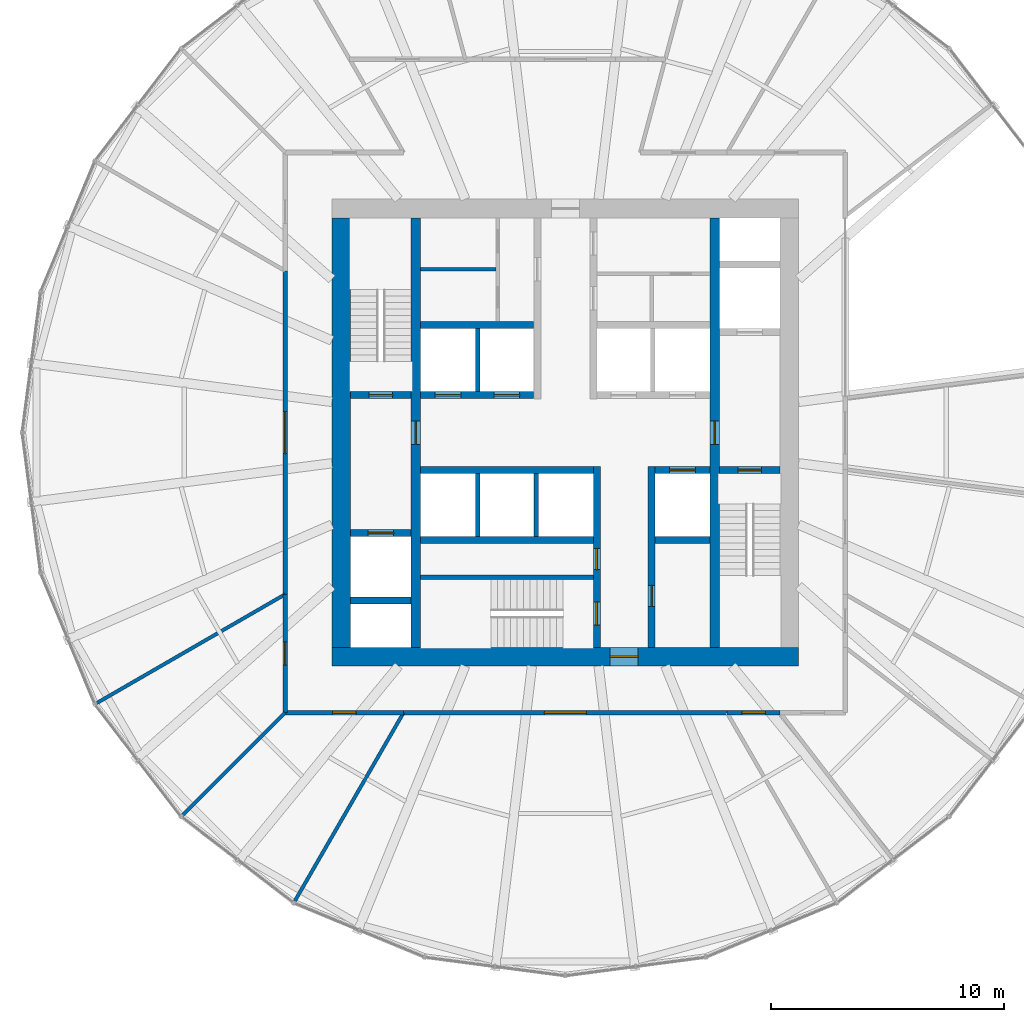
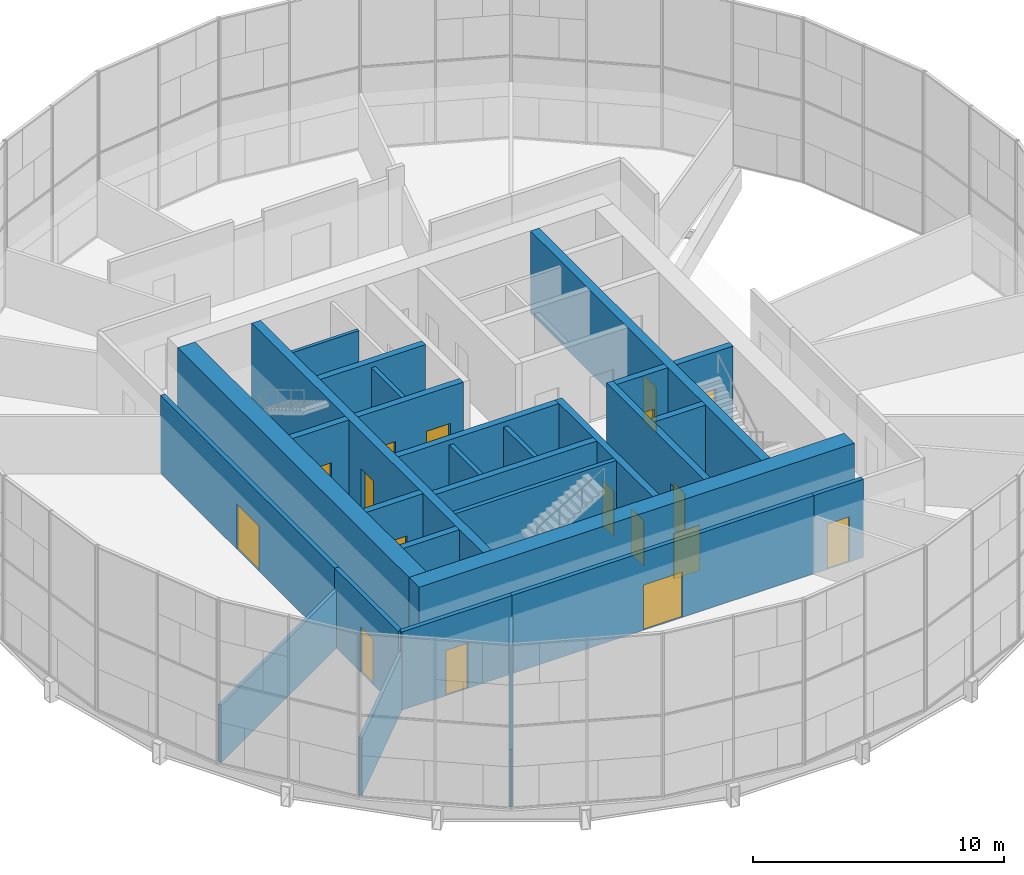
# One storey, part 15 of 18: 29 walls, 17 doors, 17 openings.
"""IFC4 building model written with IfcOpenShell, lengths in metres."""

from ifc_helpers import new_model, si_unit, direction, frame, frame_2d, origin, place, context, subcontext, project, spatial, rectangle, extrude, material, layer, layer_set, type_object, element, fill, save


model = new_model("IFC4")

# Units and contexts
model_context = context("Model", 3, precision=1e-05, world=origin(), true_north=direction((0.0, 1.0)))
body_context = subcontext(model_context, "Body", "Model", "MODEL_VIEW")
ifc_project = project(units=[si_unit("LENGTHUNIT", "METRE"), si_unit("AREAUNIT", "SQUARE_METRE"), si_unit("VOLUMEUNIT", "CUBIC_METRE"), si_unit("PLANEANGLEUNIT", "RADIAN"), si_unit("MASSUNIT", "GRAM", prefix="KILO")], contexts=[model_context])

# Site, building, storey
site_placement = place(None, origin())
site = spatial("IfcSite", under=ifc_project, at=site_placement, CompositionType="ELEMENT")
building_placement = place(site_placement, origin())
building = spatial("IfcBuilding", under=site, at=building_placement, Name="Golbaran Civic Tower", CompositionType="ELEMENT")
storey_placement = place(building_placement, frame((0.0, 0.0, 45.0)))
storey = spatial("IfcBuildingStorey", under=building, at=storey_placement, Name="L10", CompositionType="ELEMENT", Elevation=45.0)

# Wall, opening, door
ifc_material_1 = material(Name="Concrete C50/60", Category="concrete")
ifc_layer_1 = layer(ifc_material_1, 0.39990234375, Name="Concrete C50/60")
ifc_layer_set_1 = layer_set([ifc_layer_1], Name="Concrete C50/60")
wall_type_1 = type_object("IfcWallType", Name="CORE WALL CONCRETE 400", PredefinedType="SOLIDWALL", material=ifc_layer_set_1)
wall_1_placement = place(storey_placement, frame((-6.39990234375, -9.199951171875, 0.0), z_axis=(0.0, 0.0, 1.0), x_axis=(0.0, 1.0, 0.0)))
wall_1 = element("IfcWall", 1, at=wall_1_placement, inside=storey, type_object=wall_type_1, Name="Core wall IW L10", PredefinedType="SOLIDWALL", context=body_context, shape_type="SweptSolid", body=[
    extrude(rectangle(XDim=18.39990234375, YDim=0.39990234375, at=frame_2d((9.199951171875, 0.0))), origin(), (0.0, 0.0, 1.0), 4.0),
])
opening_1_placement = place(wall_1_placement, frame((8.699951171875, 0.0, 0.0)))
opening_1 = element("IfcOpeningElement", 2, at=opening_1_placement, cuts=wall_1, Name="Opening L10.FL1", PredefinedType="OPENING", context=body_context, shape_type="SweptSolid", body=[
    extrude(rectangle(XDim=1.0, YDim=2.199951171875, at=frame_2d((0.5, 1.10009765625))), frame((0.0, 0.2099609375, 0.0), z_axis=(0.0, -1.0, 0.0), x_axis=(1.0, 0.0, 0.0)), (0.0, 0.0, 1.0), 0.419921875),
])
ifc_material_2 = material(Name="Timber door set in steel frame", Category="steel")
door_type_1 = type_object("IfcDoorType", Name="STAIR DOOR 1000x2200", OperationType="SINGLE_SWING_LEFT", PredefinedType="DOOR", material=ifc_material_2)
door_1_placement = place(opening_1_placement, origin())
door_1 = element("IfcDoor", 3, at=door_1_placement, inside=storey, type_object=door_type_1, Name="Fire-fighting lobby FL1 door", OperationType="SINGLE_SWING_LEFT", OverallHeight=2.199951171875, OverallWidth=1.0, PredefinedType="DOOR", context=body_context, shape_type="SweptSolid", body=[
    extrude(rectangle(XDim=1.0, YDim=2.199951171875, at=frame_2d((0.5, 1.10009765625))), frame((0.0, 0.02490234375, 0.0), z_axis=(0.0, -1.0, 0.0), x_axis=(1.0, 0.0, 0.0)), (0.0, 0.0, 1.0), 0.050048828125),
])
fill(opening_1, door_1)

wall_2_placement = place(storey_placement, frame((6.39990234375, 9.199951171875, 0.0), z_axis=(0.0, 0.0, 1.0), x_axis=(0.0, -1.0, 0.0)))
wall_2 = element("IfcWall", 4, at=wall_2_placement, inside=storey, type_object=wall_type_1, Name="Core wall IE L10", PredefinedType="SOLIDWALL", context=body_context, shape_type="SweptSolid", body=[
    extrude(rectangle(XDim=18.39990234375, YDim=0.39990234375, at=frame_2d((9.199951171875, 0.0))), origin(), (0.0, 0.0, 1.0), 4.0),
])
opening_2_placement = place(wall_2_placement, frame((8.699951171875, 0.0, 0.0)))
opening_2 = element("IfcOpeningElement", 5, at=opening_2_placement, cuts=wall_2, Name="Opening L10.FL2", PredefinedType="OPENING", context=body_context, shape_type="SweptSolid", body=[
    extrude(rectangle(XDim=1.0, YDim=2.199951171875, at=frame_2d((0.5, 1.10009765625))), frame((0.0, 0.2099609375, 0.0), z_axis=(0.0, -1.0, 0.0), x_axis=(1.0, 0.0, 0.0)), (0.0, 0.0, 1.0), 0.419921875),
])
door_2_placement = place(opening_2_placement, origin())
door_2 = element("IfcDoor", 6, at=door_2_placement, inside=storey, type_object=door_type_1, Name="Fire-fighting lobby FL2 door", OperationType="SINGLE_SWING_RIGHT", OverallHeight=2.199951171875, OverallWidth=1.0, PredefinedType="DOOR", context=body_context, shape_type="SweptSolid", body=[
    extrude(rectangle(XDim=1.0, YDim=2.199951171875, at=frame_2d((0.5, 1.10009765625))), frame((0.0, 0.02490234375, 0.0), z_axis=(0.0, -1.0, 0.0), x_axis=(1.0, 0.0, 0.0)), (0.0, 0.0, 1.0), 0.050048828125),
])
fill(opening_2, door_2)

ifc_layer_2 = layer(ifc_material_1, 0.800048828125, Name="Concrete C50/60")
ifc_layer_set_2 = layer_set([ifc_layer_2], Name="Concrete C50/60")
wall_type_2 = type_object("IfcWallType", Name="CORE WALL CONCRETE 800", PredefinedType="SOLIDWALL", material=ifc_layer_set_2)
wall_3_placement = place(storey_placement, frame((10.0, -9.60009765625, 0.0), z_axis=(0.0, 0.0, 1.0), x_axis=(-1.0, 0.0, 0.0)))
wall_3 = element("IfcWall", 7, at=wall_3_placement, inside=storey, type_object=wall_type_2, Name="Core wall CS L10", PredefinedType="SOLIDWALL", context=body_context, shape_type="SweptSolid", body=[
    extrude(rectangle(XDim=20.0, YDim=0.800048828125, at=frame_2d((10.0, 0.0))), origin(), (0.0, 0.0, 1.0), 4.0),
])
opening_3_placement = place(wall_3_placement, frame((6.875, 0.0, 0.0)))
opening_3 = element("IfcOpeningElement", 8, at=opening_3_placement, cuts=wall_3, Name="Opening L10.CS", PredefinedType="OPENING", context=body_context, shape_type="SweptSolid", body=[
    extrude(rectangle(XDim=1.199951171875, YDim=2.199951171875, at=frame_2d((0.60009765625, 1.10009765625))), frame((0.0, 0.409912109375, 0.0), z_axis=(0.0, -1.0, 0.0), x_axis=(1.0, 0.0, 0.0)), (0.0, 0.0, 1.0), 0.820068359375),
])
door_type_2 = type_object("IfcDoorType", Name="CORE DOOR 1200x2200", OperationType="DOUBLE_DOOR_SINGLE_SWING", PredefinedType="DOOR", material=ifc_material_2)
door_3_placement = place(opening_3_placement, origin())
door_3 = element("IfcDoor", 9, at=door_3_placement, inside=storey, type_object=door_type_2, Name="Core door south", OperationType="DOUBLE_DOOR_SINGLE_SWING", OverallHeight=2.199951171875, OverallWidth=1.199951171875, PredefinedType="DOOR", context=body_context, shape_type="SweptSolid", body=[
    extrude(rectangle(XDim=1.199951171875, YDim=2.199951171875, at=frame_2d((0.60009765625, 1.10009765625))), frame((0.0, 0.02490234375, 0.0), z_axis=(0.0, -1.0, 0.0), x_axis=(1.0, 0.0, 0.0)), (0.0, 0.0, 1.0), 0.050048828125),
])
fill(opening_3, door_3)

# Wall
wall_4_placement = place(storey_placement, frame((-9.60009765625, 9.199951171875, 0.0), z_axis=(0.0, 0.0, 1.0), x_axis=(0.0, -1.0, 0.0)))
element("IfcWall", 10, at=wall_4_placement, inside=storey, type_object=wall_type_2, Name="Core wall CW L10", PredefinedType="SOLIDWALL", context=body_context, shape_type="SweptSolid", body=[
    extrude(rectangle(XDim=18.39990234375, YDim=0.800048828125, at=frame_2d((9.199951171875, 0.0))), origin(), (0.0, 0.0, 1.0), 4.0),
])

# Wall, opening, door
ifc_material_3 = material(Name="Gypsum board on steel studs, fire-rated", Category="steel")
ifc_layer_3 = layer(ifc_material_3, 0.199951171875, Name="Gypsum board on steel studs, fire-rated")
ifc_layer_set_3 = layer_set([ifc_layer_3], Name="Gypsum board on steel studs, fire-rated")
wall_type_3 = type_object("IfcWallType", Name="CORRIDOR WALL 200", PredefinedType="PARTITIONING", material=ifc_layer_set_3)
wall_5_placement = place(storey_placement, frame((-12.0, 6.92822265625, 0.0), z_axis=(0.0, 0.0, 1.0), x_axis=(0.0, -1.0, 0.0)))
wall_5 = element("IfcWall", 11, at=wall_5_placement, inside=storey, type_object=wall_type_3, Name="Corridor wall L10", PredefinedType="PARTITIONING", context=body_context, shape_type="SweptSolid", body=[
    extrude(rectangle(XDim=13.8564453125, YDim=0.199951171875, at=frame_2d((6.92822265625, 0.0))), origin(), (0.0, 0.0, 1.0), 3.800048828125),
])
opening_4_placement = place(wall_5_placement, frame((6.0283203125, 0.0, 0.0)))
opening_4 = element("IfcOpeningElement", 12, at=opening_4_placement, cuts=wall_5, Name="Opening L10.10", PredefinedType="OPENING", context=body_context, shape_type="SweptSolid", body=[
    extrude(rectangle(XDim=1.800048828125, YDim=2.199951171875, at=frame_2d((0.89990234375, 1.10009765625))), frame((0.0, 0.10986328125, 0.0), z_axis=(0.0, -1.0, 0.0), x_axis=(1.0, 0.0, 0.0)), (0.0, 0.0, 1.0), 0.219970703125),
])
door_type_3 = type_object("IfcDoorType", Name="OFFICE DOUBLE DOOR 1800x2200", OperationType="DOUBLE_DOOR_SINGLE_SWING", PredefinedType="DOOR", material=ifc_material_2)
door_4_placement = place(opening_4_placement, origin())
door_4 = element("IfcDoor", 13, at=door_4_placement, inside=storey, type_object=door_type_3, Name="Meeting Room door L10", OperationType="DOUBLE_DOOR_SINGLE_SWING", OverallHeight=2.199951171875, OverallWidth=1.800048828125, PredefinedType="DOOR", context=body_context, shape_type="SweptSolid", body=[
    extrude(rectangle(XDim=1.800048828125, YDim=2.199951171875, at=frame_2d((0.89990234375, 1.10009765625))), frame((0.0, 0.02490234375, 0.0), z_axis=(0.0, -1.0, 0.0), x_axis=(1.0, 0.0, 0.0)), (0.0, 0.0, 1.0), 0.050048828125),
])
fill(opening_4, door_4)

wall_6_placement = place(storey_placement, frame((-12.0, -6.92822265625, 0.0), z_axis=(0.0, 0.0, 1.0), x_axis=(0.0, -1.0, 0.0)))
wall_6 = element("IfcWall", 14, at=wall_6_placement, inside=storey, type_object=wall_type_3, Name="Corridor wall L10", PredefinedType="PARTITIONING", context=body_context, shape_type="SweptSolid", body=[
    extrude(rectangle(XDim=5.07177734375, YDim=0.199951171875, at=frame_2d((2.535888671875, 0.0))), origin(), (0.0, 0.0, 1.0), 3.800048828125),
])
opening_5_placement = place(wall_6_placement, frame((2.035888671875, 0.0, 0.0)))
opening_5 = element("IfcOpeningElement", 15, at=opening_5_placement, cuts=wall_6, Name="Opening L10.11", PredefinedType="OPENING", context=body_context, shape_type="SweptSolid", body=[
    extrude(rectangle(XDim=1.0, YDim=2.199951171875, at=frame_2d((0.5, 1.10009765625))), frame((0.0, 0.10986328125, 0.0), z_axis=(0.0, -1.0, 0.0), x_axis=(1.0, 0.0, 0.0)), (0.0, 0.0, 1.0), 0.219970703125),
])
door_type_4 = type_object("IfcDoorType", Name="OFFICE DOOR 1000x2200", OperationType="SINGLE_SWING_LEFT", PredefinedType="DOOR", material=ifc_material_2)
door_5_placement = place(opening_5_placement, origin())
door_5 = element("IfcDoor", 16, at=door_5_placement, inside=storey, type_object=door_type_4, Name="Store door L10", OperationType="SINGLE_SWING_RIGHT", OverallHeight=2.199951171875, OverallWidth=1.0, PredefinedType="DOOR", context=body_context, shape_type="SweptSolid", body=[
    extrude(rectangle(XDim=1.0, YDim=2.199951171875, at=frame_2d((0.5, 1.10009765625))), frame((0.0, 0.02490234375, 0.0), z_axis=(0.0, -1.0, 0.0), x_axis=(1.0, 0.0, 0.0)), (0.0, 0.0, 1.0), 0.050048828125),
])
fill(opening_5, door_5)

wall_7_placement = place(storey_placement, frame((-12.0, -12.0, 0.0), z_axis=(0.0, 0.0, 1.0), x_axis=(1.0, 0.0, 0.0)))
wall_7 = element("IfcWall", 17, at=wall_7_placement, inside=storey, type_object=wall_type_3, Name="Corridor wall L10", PredefinedType="PARTITIONING", context=body_context, shape_type="SweptSolid", body=[
    extrude(rectangle(XDim=5.07177734375, YDim=0.199951171875, at=frame_2d((2.535888671875, 0.0))), origin(), (0.0, 0.0, 1.0), 3.800048828125),
])
opening_6_placement = place(wall_7_placement, frame((2.035888671875, 0.0, 0.0)))
opening_6 = element("IfcOpeningElement", 18, at=opening_6_placement, cuts=wall_7, Name="Opening L10.12", PredefinedType="OPENING", context=body_context, shape_type="SweptSolid", body=[
    extrude(rectangle(XDim=1.0, YDim=2.199951171875, at=frame_2d((0.5, 1.10009765625))), frame((0.0, 0.10986328125, 0.0), z_axis=(0.0, -1.0, 0.0), x_axis=(1.0, 0.0, 0.0)), (0.0, 0.0, 1.0), 0.219970703125),
])
door_6_placement = place(opening_6_placement, origin())
door_6 = element("IfcDoor", 19, at=door_6_placement, inside=storey, type_object=door_type_4, Name="Meeting Room door L10", OperationType="SINGLE_SWING_LEFT", OverallHeight=2.199951171875, OverallWidth=1.0, PredefinedType="DOOR", context=body_context, shape_type="SweptSolid", body=[
    extrude(rectangle(XDim=1.0, YDim=2.199951171875, at=frame_2d((0.5, 1.10009765625))), frame((0.0, 0.02490234375, 0.0), z_axis=(0.0, -1.0, 0.0), x_axis=(1.0, 0.0, 0.0)), (0.0, 0.0, 1.0), 0.050048828125),
])
fill(opening_6, door_6)

wall_8_placement = place(storey_placement, frame((-6.92822265625, -12.0, 0.0), z_axis=(0.0, 0.0, 1.0), x_axis=(1.0, 0.0, 0.0)))
wall_8 = element("IfcWall", 20, at=wall_8_placement, inside=storey, type_object=wall_type_3, Name="Corridor wall L10", PredefinedType="PARTITIONING", context=body_context, shape_type="SweptSolid", body=[
    extrude(rectangle(XDim=13.8564453125, YDim=0.199951171875, at=frame_2d((6.92822265625, 0.0))), origin(), (0.0, 0.0, 1.0), 3.800048828125),
])
opening_7_placement = place(wall_8_placement, frame((6.0283203125, 0.0, 0.0)))
opening_7 = element("IfcOpeningElement", 21, at=opening_7_placement, cuts=wall_8, Name="Opening L10.13", PredefinedType="OPENING", context=body_context, shape_type="SweptSolid", body=[
    extrude(rectangle(XDim=1.800048828125, YDim=2.199951171875, at=frame_2d((0.89990234375, 1.10009765625))), frame((0.0, 0.10986328125, 0.0), z_axis=(0.0, -1.0, 0.0), x_axis=(1.0, 0.0, 0.0)), (0.0, 0.0, 1.0), 0.219970703125),
])
door_7_placement = place(opening_7_placement, origin())
door_7 = element("IfcDoor", 22, at=door_7_placement, inside=storey, type_object=door_type_3, Name="Interview Room door L10", OperationType="DOUBLE_DOOR_SINGLE_SWING", OverallHeight=2.199951171875, OverallWidth=1.800048828125, PredefinedType="DOOR", context=body_context, shape_type="SweptSolid", body=[
    extrude(rectangle(XDim=1.800048828125, YDim=2.199951171875, at=frame_2d((0.89990234375, 1.10009765625))), frame((0.0, 0.02490234375, 0.0), z_axis=(0.0, -1.0, 0.0), x_axis=(1.0, 0.0, 0.0)), (0.0, 0.0, 1.0), 0.050048828125),
])
fill(opening_7, door_7)

wall_9_placement = place(storey_placement, frame((6.92822265625, -12.0, 0.0), z_axis=(0.0, 0.0, 1.0), x_axis=(1.0, 0.0, 0.0)))
wall_9 = element("IfcWall", 23, at=wall_9_placement, inside=storey, type_object=wall_type_3, Name="Corridor wall L10", PredefinedType="PARTITIONING", context=body_context, shape_type="SweptSolid", body=[
    extrude(rectangle(XDim=2.27978515625, YDim=0.199951171875, at=frame_2d((1.139892578125, 0.0))), origin(), (0.0, 0.0, 1.0), 3.800048828125),
])
opening_8_placement = place(wall_9_placement, frame((0.639892578125, 0.0, 0.0)))
opening_8 = element("IfcOpeningElement", 24, at=opening_8_placement, cuts=wall_9, Name="Opening L10.14", PredefinedType="OPENING", context=body_context, shape_type="SweptSolid", body=[
    extrude(rectangle(XDim=1.0, YDim=2.199951171875, at=frame_2d((0.5, 1.10009765625))), frame((0.0, 0.10986328125, 0.0), z_axis=(0.0, -1.0, 0.0), x_axis=(1.0, 0.0, 0.0)), (0.0, 0.0, 1.0), 0.219970703125),
])
door_8_placement = place(opening_8_placement, origin())
door_8 = element("IfcDoor", 25, at=door_8_placement, inside=storey, type_object=door_type_4, Name="Print and Copy Room door L10", OperationType="SINGLE_SWING_LEFT", OverallHeight=2.199951171875, OverallWidth=1.0, PredefinedType="DOOR", context=body_context, shape_type="SweptSolid", body=[
    extrude(rectangle(XDim=1.0, YDim=2.199951171875, at=frame_2d((0.5, 1.10009765625))), frame((0.0, 0.02490234375, 0.0), z_axis=(0.0, -1.0, 0.0), x_axis=(1.0, 0.0, 0.0)), (0.0, 0.0, 1.0), 0.050048828125),
])
fill(opening_8, door_8)

# Walls
ifc_material_4 = material(Name="Concrete block", Category="concrete")
ifc_layer_4 = layer(ifc_material_4, 0.199951171875, Name="Concrete block")
ifc_layer_set_4 = layer_set([ifc_layer_4], Name="Concrete block")
wall_type_4 = type_object("IfcWallType", Name="LIFT SEPARATOR WALL 200", PredefinedType="SOLIDWALL", material=ifc_layer_set_4)
for number, where, z_axis, x_axis, name in (
    (26, (-3.75, 1.75, 0.0), (0.0, 0.0, 1.0), (0.0, 1.0, 0.0), "Core partition SNW L10"),
    (27, (-3.75, -1.75, 0.0), (0.0, 0.0, 1.0), (0.0, -1.0, 0.0), "Core partition SSW L10"),
    (28, (-1.25, -1.75, 0.0), (0.0, 0.0, 1.0), (0.0, -1.0, 0.0), "Core partition SSM L10"),
):
    element("IfcWall", number, at=place(storey_placement, frame(where, z_axis=z_axis, x_axis=x_axis)), inside=storey, type_object=wall_type_4, Name=name, PredefinedType="SOLIDWALL", context=body_context, shape_type="SweptSolid", body=[
        extrude(rectangle(XDim=2.699951171875, YDim=0.199951171875, at=frame_2d((1.35009765625, 0.0))), origin(), (0.0, 0.0, 1.0), 3.75),
    ])
ifc_material_5 = material(Name="Gypsum board on steel studs", Category="steel")
ifc_layer_5 = layer(ifc_material_5, 0.14990234375, Name="Gypsum board on steel studs")
ifc_layer_set_5 = layer_set([ifc_layer_5], Name="Gypsum board on steel studs")
wall_type_5 = type_object("IfcWallType", Name="OFFICE PARTITION 150", PredefinedType="PARTITIONING", material=ifc_layer_set_5)
wall_10_placement = place(storey_placement, frame((-12.0, -6.92822265625, 0.0), z_axis=(0.0, 0.0, 1.0), x_axis=(-0.866028610261, -0.499994446179, 0.0)))
element("IfcWall", 29, at=wall_10_placement, inside=storey, type_object=wall_type_5, Name="Partition 210 L10", PredefinedType="PARTITIONING", context=body_context, shape_type="SweptSolid", body=[
    extrude(rectangle(XDim=9.32373046875, YDim=0.14990234375, at=frame_2d((4.661865234375, 0.0))), origin(), (0.0, 0.0, 1.0), 2.7900390625),
])
wall_11_placement = place(storey_placement, frame((-12.0, -12.0, 0.0), z_axis=(0.0, 0.0, 1.0), x_axis=(-0.707106781187, -0.707106781187, 0.0)))
element("IfcWall", 30, at=wall_11_placement, inside=storey, type_object=wall_type_5, Name="Partition 225 L10", PredefinedType="PARTITIONING", context=body_context, shape_type="SweptSolid", body=[
    extrude(rectangle(XDim=6.209716796875, YDim=0.14990234375, at=frame_2d((3.10498046875, 0.0))), origin(), (0.0, 0.0, 1.0), 2.7900390625),
])
wall_12_placement = place(storey_placement, frame((-6.92822265625, -12.0, 0.0), z_axis=(0.0, 0.0, 1.0), x_axis=(-0.499994446179, -0.866028610261, 0.0)))
element("IfcWall", 31, at=wall_12_placement, inside=storey, type_object=wall_type_5, Name="Partition 240 L10", PredefinedType="PARTITIONING", context=body_context, shape_type="SweptSolid", body=[
    extrude(rectangle(XDim=9.32373046875, YDim=0.14990234375, at=frame_2d((4.661865234375, 0.0))), origin(), (0.0, 0.0, 1.0), 2.7900390625),
])
ifc_layer_6 = layer(ifc_material_1, 0.199951171875, Name="Concrete C50/60")
ifc_layer_set_6 = layer_set([ifc_layer_6], Name="Concrete C50/60")
wall_type_6 = type_object("IfcWallType", Name="SHAFT WALL CONCRETE 200", PredefinedType="SOLIDWALL", material=ifc_layer_set_6)
wall_13_placement = place(storey_placement, frame((-6.199951171875, -6.199951171875, 0.0), z_axis=(0.0, 0.0, 1.0), x_axis=(1.0, 0.0, 0.0)))
element("IfcWall", 32, at=wall_13_placement, inside=storey, type_object=wall_type_6, Name="Core wall S3N L10", PredefinedType="SOLIDWALL", context=body_context, shape_type="SweptSolid", body=[
    extrude(rectangle(XDim=7.39990234375, YDim=0.199951171875, at=frame_2d((3.699951171875, 0.0))), origin(), (0.0, 0.0, 1.0), 4.0),
])

# Wall, openings, doors
ifc_layer_7 = layer(ifc_material_1, 0.300048828125, Name="Concrete C50/60")
ifc_layer_set_7 = layer_set([ifc_layer_7], Name="Concrete C50/60")
wall_type_7 = type_object("IfcWallType", Name="SHAFT WALL CONCRETE 300", PredefinedType="SOLIDWALL", material=ifc_layer_set_7)
wall_14_placement = place(storey_placement, frame((-6.199951171875, 1.60009765625, 0.0), z_axis=(0.0, 0.0, 1.0), x_axis=(1.0, 0.0, 0.0)))
wall_14 = element("IfcWall", 33, at=wall_14_placement, inside=storey, type_object=wall_type_7, Name="Core wall FNW L10", PredefinedType="SOLIDWALL", context=body_context, shape_type="SweptSolid", body=[
    extrude(rectangle(XDim=4.849853515625, YDim=0.300048828125, at=frame_2d((2.4248046875, 0.0))), origin(), (0.0, 0.0, 1.0), 4.0),
])
opening_9_placement = place(wall_14_placement, frame((0.625, 0.0, 0.0)))
opening_9 = element("IfcOpeningElement", 34, at=opening_9_placement, cuts=wall_14, Name="Opening L10.LD-Z1L", PredefinedType="OPENING", context=body_context, shape_type="SweptSolid", body=[
    extrude(rectangle(XDim=1.10009765625, YDim=2.199951171875, at=frame_2d((0.550048828125, 1.10009765625))), frame((0.0, 0.159912109375, 0.0), z_axis=(0.0, -1.0, 0.0), x_axis=(1.0, 0.0, 0.0)), (0.0, 0.0, 1.0), 0.320068359375),
])
opening_10_placement = place(wall_14_placement, frame((3.14990234375, 0.0, 0.0)))
opening_10 = element("IfcOpeningElement", 35, at=opening_10_placement, cuts=wall_14, Name="Opening L10.LD-Z2L", PredefinedType="OPENING", context=body_context, shape_type="SweptSolid", body=[
    extrude(rectangle(XDim=1.10009765625, YDim=2.199951171875, at=frame_2d((0.550048828125, 1.10009765625))), frame((0.0, 0.159912109375, 0.0), z_axis=(0.0, -1.0, 0.0), x_axis=(1.0, 0.0, 0.0)), (0.0, 0.0, 1.0), 0.320068359375),
])
ifc_material_6 = material(Name="Stainless steel", Category="steel")
door_type_5 = type_object("IfcDoorType", Name="LIFT LANDING DOOR 1100x2200", OperationType="SLIDING_TO_LEFT", PredefinedType="DOOR", material=ifc_material_6)
door_9_placement = place(opening_9_placement, origin())
door_9 = element("IfcDoor", 36, at=door_9_placement, inside=storey, type_object=door_type_5, Name="Lift landing door Z1L", OperationType="SLIDING_TO_LEFT", OverallHeight=2.199951171875, OverallWidth=1.10009765625, PredefinedType="DOOR", context=body_context, shape_type="SweptSolid", body=[
    extrude(rectangle(XDim=1.10009765625, YDim=2.199951171875, at=frame_2d((0.550048828125, 1.10009765625))), frame((0.0, 0.02490234375, 0.0), z_axis=(0.0, -1.0, 0.0), x_axis=(1.0, 0.0, 0.0)), (0.0, 0.0, 1.0), 0.050048828125),
])
fill(opening_9, door_9)
door_10_placement = place(opening_10_placement, origin())
door_10 = element("IfcDoor", 37, at=door_10_placement, inside=storey, type_object=door_type_5, Name="Lift landing door Z2L", OperationType="SLIDING_TO_LEFT", OverallHeight=2.199951171875, OverallWidth=1.10009765625, PredefinedType="DOOR", context=body_context, shape_type="SweptSolid", body=[
    extrude(rectangle(XDim=1.10009765625, YDim=2.199951171875, at=frame_2d((0.550048828125, 1.10009765625))), frame((0.0, 0.02490234375, 0.0), z_axis=(0.0, -1.0, 0.0), x_axis=(1.0, 0.0, 0.0)), (0.0, 0.0, 1.0), 0.050048828125),
])
fill(opening_10, door_10)

# Walls
wall_15_placement = place(storey_placement, frame((-6.199951171875, 4.60009765625, 0.0), z_axis=(0.0, 0.0, 1.0), x_axis=(1.0, 0.0, 0.0)))
element("IfcWall", 38, at=wall_15_placement, inside=storey, type_object=wall_type_7, Name="Core wall BNW L10", PredefinedType="SOLIDWALL", context=body_context, shape_type="SweptSolid", body=[
    extrude(rectangle(XDim=4.849853515625, YDim=0.300048828125, at=frame_2d((2.4248046875, 0.0))), origin(), (0.0, 0.0, 1.0), 4.0),
])
wall_16_placement = place(storey_placement, frame((-6.199951171875, -1.60009765625, 0.0), z_axis=(0.0, 0.0, 1.0), x_axis=(1.0, 0.0, 0.0)))
element("IfcWall", 39, at=wall_16_placement, inside=storey, type_object=wall_type_7, Name="Core wall FSW L10", PredefinedType="SOLIDWALL", context=body_context, shape_type="SweptSolid", body=[
    extrude(rectangle(XDim=7.39990234375, YDim=0.300048828125, at=frame_2d((3.699951171875, 0.0))), origin(), (0.0, 0.0, 1.0), 4.0),
])

# Wall, opening, door
wall_17_placement = place(storey_placement, frame((3.85009765625, -1.60009765625, 0.0), z_axis=(0.0, 0.0, 1.0), x_axis=(1.0, 0.0, 0.0)))
wall_17 = element("IfcWall", 40, at=wall_17_placement, inside=storey, type_object=wall_type_7, Name="Core wall FSE L10", PredefinedType="SOLIDWALL", context=body_context, shape_type="SweptSolid", body=[
    extrude(rectangle(XDim=2.349853515625, YDim=0.300048828125, at=frame_2d((1.1748046875, 0.0))), origin(), (0.0, 0.0, 1.0), 4.0),
])
opening_11_placement = place(wall_17_placement, frame((0.625, 0.0, 0.0)))
opening_11 = element("IfcOpeningElement", 41, at=opening_11_placement, cuts=wall_17, Name="Opening L10.LD-V1", PredefinedType="OPENING", context=body_context, shape_type="SweptSolid", body=[
    extrude(rectangle(XDim=1.10009765625, YDim=2.199951171875, at=frame_2d((0.550048828125, 1.10009765625))), frame((0.0, 0.159912109375, 0.0), z_axis=(0.0, -1.0, 0.0), x_axis=(1.0, 0.0, 0.0)), (0.0, 0.0, 1.0), 0.320068359375),
])
door_11_placement = place(opening_11_placement, origin())
door_11 = element("IfcDoor", 42, at=door_11_placement, inside=storey, type_object=door_type_5, Name="Lift landing door V1", OperationType="SLIDING_TO_LEFT", OverallHeight=2.199951171875, OverallWidth=1.10009765625, PredefinedType="DOOR", context=body_context, shape_type="SweptSolid", body=[
    extrude(rectangle(XDim=1.10009765625, YDim=2.199951171875, at=frame_2d((0.550048828125, 1.10009765625))), frame((0.0, 0.02490234375, 0.0), z_axis=(0.0, -1.0, 0.0), x_axis=(1.0, 0.0, 0.0)), (0.0, 0.0, 1.0), 0.050048828125),
])
fill(opening_11, door_11)

# Walls
wall_18_placement = place(storey_placement, frame((-6.199951171875, -4.60009765625, 0.0), z_axis=(0.0, 0.0, 1.0), x_axis=(1.0, 0.0, 0.0)))
element("IfcWall", 43, at=wall_18_placement, inside=storey, type_object=wall_type_7, Name="Core wall BSW L10", PredefinedType="SOLIDWALL", context=body_context, shape_type="SweptSolid", body=[
    extrude(rectangle(XDim=7.39990234375, YDim=0.300048828125, at=frame_2d((3.699951171875, 0.0))), origin(), (0.0, 0.0, 1.0), 4.0),
])
wall_19_placement = place(storey_placement, frame((3.85009765625, -4.60009765625, 0.0), z_axis=(0.0, 0.0, 1.0), x_axis=(1.0, 0.0, 0.0)))
element("IfcWall", 44, at=wall_19_placement, inside=storey, type_object=wall_type_7, Name="Core wall BSE L10", PredefinedType="SOLIDWALL", context=body_context, shape_type="SweptSolid", body=[
    extrude(rectangle(XDim=2.349853515625, YDim=0.300048828125, at=frame_2d((1.1748046875, 0.0))), origin(), (0.0, 0.0, 1.0), 4.0),
])

# Wall, openings, doors
wall_20_placement = place(storey_placement, frame((1.35009765625, -1.449951171875, 0.0), z_axis=(0.0, 0.0, 1.0), x_axis=(0.0, -1.0, 0.0)))
wall_20 = element("IfcWall", 45, at=wall_20_placement, inside=storey, type_object=wall_type_7, Name="Core wall PSW L10", PredefinedType="SOLIDWALL", context=body_context, shape_type="SweptSolid", body=[
    extrude(rectangle(XDim=7.75, YDim=0.300048828125, at=frame_2d((3.875, 0.0))), origin(), (0.0, 0.0, 1.0), 4.0),
])
opening_12_placement = place(wall_20_placement, frame((5.800048828125, 0.0, 0.0)))
opening_12 = element("IfcOpeningElement", 46, at=opening_12_placement, cuts=wall_20, Name="Opening L10.S3", PredefinedType="OPENING", context=body_context, shape_type="SweptSolid", body=[
    extrude(rectangle(XDim=1.0, YDim=2.199951171875, at=frame_2d((0.5, 1.10009765625))), frame((0.0, 0.159912109375, 0.0), z_axis=(0.0, -1.0, 0.0), x_axis=(1.0, 0.0, 0.0)), (0.0, 0.0, 1.0), 0.320068359375),
])
opening_13_placement = place(wall_20_placement, frame((3.52490234375, 0.0, 0.0)))
opening_13 = element("IfcOpeningElement", 47, at=opening_13_placement, cuts=wall_20, Name="Opening L10.RE", PredefinedType="OPENING", context=body_context, shape_type="SweptSolid", body=[
    extrude(rectangle(XDim=0.89990234375, YDim=2.199951171875, at=frame_2d((0.449951171875, 1.10009765625))), frame((0.0, 0.159912109375, 0.0), z_axis=(0.0, -1.0, 0.0), x_axis=(1.0, 0.0, 0.0)), (0.0, 0.0, 1.0), 0.320068359375),
])
door_type_6 = type_object("IfcDoorType", Name="RISER DOOR 900x2200", OperationType="SINGLE_SWING_LEFT", PredefinedType="DOOR", material=ifc_material_2)
door_12_placement = place(opening_13_placement, origin())
door_12 = element("IfcDoor", 48, at=door_12_placement, inside=storey, type_object=door_type_6, Name="Electrical riser door", OperationType="SINGLE_SWING_RIGHT", OverallHeight=2.199951171875, OverallWidth=0.89990234375, PredefinedType="DOOR", context=body_context, shape_type="SweptSolid", body=[
    extrude(rectangle(XDim=0.89990234375, YDim=2.199951171875, at=frame_2d((0.449951171875, 1.10009765625))), frame((0.0, 0.02490234375, 0.0), z_axis=(0.0, -1.0, 0.0), x_axis=(1.0, 0.0, 0.0)), (0.0, 0.0, 1.0), 0.050048828125),
])
fill(opening_13, door_12)
door_13_placement = place(opening_12_placement, origin())
door_13 = element("IfcDoor", 49, at=door_13_placement, inside=storey, type_object=door_type_1, Name="Stair S3 door", OperationType="SINGLE_SWING_RIGHT", OverallHeight=2.199951171875, OverallWidth=1.0, PredefinedType="DOOR", context=body_context, shape_type="SweptSolid", body=[
    extrude(rectangle(XDim=1.0, YDim=2.199951171875, at=frame_2d((0.5, 1.10009765625))), frame((0.0, 0.02490234375, 0.0), z_axis=(0.0, -1.0, 0.0), x_axis=(1.0, 0.0, 0.0)), (0.0, 0.0, 1.0), 0.050048828125),
])
fill(opening_12, door_13)

# Wall, opening, door
wall_21_placement = place(storey_placement, frame((3.699951171875, -1.449951171875, 0.0), z_axis=(0.0, 0.0, 1.0), x_axis=(0.0, -1.0, 0.0)))
wall_21 = element("IfcWall", 50, at=wall_21_placement, inside=storey, type_object=wall_type_7, Name="Core wall PSE L10", PredefinedType="SOLIDWALL", context=body_context, shape_type="SweptSolid", body=[
    extrude(rectangle(XDim=7.75, YDim=0.300048828125, at=frame_2d((3.875, 0.0))), origin(), (0.0, 0.0, 1.0), 4.0),
])
opening_14_placement = place(wall_21_placement, frame((5.10009765625, 0.0, 0.0)))
opening_14 = element("IfcOpeningElement", 51, at=opening_14_placement, cuts=wall_21, Name="Opening L10.RM", PredefinedType="OPENING", context=body_context, shape_type="SweptSolid", body=[
    extrude(rectangle(XDim=0.89990234375, YDim=2.199951171875, at=frame_2d((0.449951171875, 1.10009765625))), frame((0.0, 0.159912109375, 0.0), z_axis=(0.0, -1.0, 0.0), x_axis=(1.0, 0.0, 0.0)), (0.0, 0.0, 1.0), 0.320068359375),
])
door_14_placement = place(opening_14_placement, origin())
door_14 = element("IfcDoor", 52, at=door_14_placement, inside=storey, type_object=door_type_6, Name="Mechanical riser door", OperationType="SINGLE_SWING_RIGHT", OverallHeight=2.199951171875, OverallWidth=0.89990234375, PredefinedType="DOOR", context=body_context, shape_type="SweptSolid", body=[
    extrude(rectangle(XDim=0.89990234375, YDim=2.199951171875, at=frame_2d((0.449951171875, 1.10009765625))), frame((0.0, 0.02490234375, 0.0), z_axis=(0.0, -1.0, 0.0), x_axis=(1.0, 0.0, 0.0)), (0.0, 0.0, 1.0), 0.050048828125),
])
fill(opening_14, door_14)

wall_22_placement = place(storey_placement, frame((-9.199951171875, 1.60009765625, 0.0), z_axis=(0.0, 0.0, 1.0), x_axis=(1.0, 0.0, 0.0)))
wall_22 = element("IfcWall", 53, at=wall_22_placement, inside=storey, type_object=wall_type_7, Name="Core wall XW1 L10", PredefinedType="SOLIDWALL", context=body_context, shape_type="SweptSolid", body=[
    extrude(rectangle(XDim=2.599853515625, YDim=0.300048828125, at=frame_2d((1.2998046875, 0.0))), origin(), (0.0, 0.0, 1.0), 4.0),
])
opening_15_placement = place(wall_22_placement, frame((0.800048828125, 0.0, 0.0)))
opening_15 = element("IfcOpeningElement", 54, at=opening_15_placement, cuts=wall_22, Name="Opening L10.S1", PredefinedType="OPENING", context=body_context, shape_type="SweptSolid", body=[
    extrude(rectangle(XDim=1.0, YDim=2.199951171875, at=frame_2d((0.5, 1.10009765625))), frame((0.0, 0.159912109375, 0.0), z_axis=(0.0, -1.0, 0.0), x_axis=(1.0, 0.0, 0.0)), (0.0, 0.0, 1.0), 0.320068359375),
])
door_15_placement = place(opening_15_placement, origin())
door_15 = element("IfcDoor", 55, at=door_15_placement, inside=storey, type_object=door_type_1, Name="Stair S1 door", OperationType="SINGLE_SWING_LEFT", OverallHeight=2.199951171875, OverallWidth=1.0, PredefinedType="DOOR", context=body_context, shape_type="SweptSolid", body=[
    extrude(rectangle(XDim=1.0, YDim=2.199951171875, at=frame_2d((0.5, 1.10009765625))), frame((0.0, 0.02490234375, 0.0), z_axis=(0.0, -1.0, 0.0), x_axis=(1.0, 0.0, 0.0)), (0.0, 0.0, 1.0), 0.050048828125),
])
fill(opening_15, door_15)

wall_23_placement = place(storey_placement, frame((6.60009765625, -1.60009765625, 0.0), z_axis=(0.0, 0.0, 1.0), x_axis=(1.0, 0.0, 0.0)))
wall_23 = element("IfcWall", 56, at=wall_23_placement, inside=storey, type_object=wall_type_7, Name="Core wall XE1 L10", PredefinedType="SOLIDWALL", context=body_context, shape_type="SweptSolid", body=[
    extrude(rectangle(XDim=2.599853515625, YDim=0.300048828125, at=frame_2d((1.2998046875, 0.0))), origin(), (0.0, 0.0, 1.0), 4.0),
])
opening_16_placement = place(wall_23_placement, frame((0.800048828125, 0.0, 0.0)))
opening_16 = element("IfcOpeningElement", 57, at=opening_16_placement, cuts=wall_23, Name="Opening L10.S2", PredefinedType="OPENING", context=body_context, shape_type="SweptSolid", body=[
    extrude(rectangle(XDim=1.0, YDim=2.199951171875, at=frame_2d((0.5, 1.10009765625))), frame((0.0, 0.159912109375, 0.0), z_axis=(0.0, -1.0, 0.0), x_axis=(1.0, 0.0, 0.0)), (0.0, 0.0, 1.0), 0.320068359375),
])
door_16_placement = place(opening_16_placement, origin())
door_16 = element("IfcDoor", 58, at=door_16_placement, inside=storey, type_object=door_type_1, Name="Stair S2 door", OperationType="SINGLE_SWING_LEFT", OverallHeight=2.199951171875, OverallWidth=1.0, PredefinedType="DOOR", context=body_context, shape_type="SweptSolid", body=[
    extrude(rectangle(XDim=1.0, YDim=2.199951171875, at=frame_2d((0.5, 1.10009765625))), frame((0.0, 0.02490234375, 0.0), z_axis=(0.0, -1.0, 0.0), x_axis=(1.0, 0.0, 0.0)), (0.0, 0.0, 1.0), 0.050048828125),
])
fill(opening_16, door_16)

wall_24_placement = place(storey_placement, frame((-9.199951171875, -4.300048828125, 0.0), z_axis=(0.0, 0.0, 1.0), x_axis=(1.0, 0.0, 0.0)))
wall_24 = element("IfcWall", 59, at=wall_24_placement, inside=storey, type_object=wall_type_7, Name="Core wall XW2 L10", PredefinedType="SOLIDWALL", context=body_context, shape_type="SweptSolid", body=[
    extrude(rectangle(XDim=2.599853515625, YDim=0.300048828125, at=frame_2d((1.2998046875, 0.0))), origin(), (0.0, 0.0, 1.0), 4.0),
])
opening_17_placement = place(wall_24_placement, frame((0.75, 0.0, 0.0)))
opening_17 = element("IfcOpeningElement", 60, at=opening_17_placement, cuts=wall_24, Name="Opening L10.LD-F1", PredefinedType="OPENING", context=body_context, shape_type="SweptSolid", body=[
    extrude(rectangle(XDim=1.10009765625, YDim=2.199951171875, at=frame_2d((0.550048828125, 1.10009765625))), frame((0.0, 0.159912109375, 0.0), z_axis=(0.0, -1.0, 0.0), x_axis=(1.0, 0.0, 0.0)), (0.0, 0.0, 1.0), 0.320068359375),
])
door_17_placement = place(opening_17_placement, origin())
door_17 = element("IfcDoor", 61, at=door_17_placement, inside=storey, type_object=door_type_5, Name="Lift landing door F1", OperationType="SLIDING_TO_LEFT", OverallHeight=2.199951171875, OverallWidth=1.10009765625, PredefinedType="DOOR", context=body_context, shape_type="SweptSolid", body=[
    extrude(rectangle(XDim=1.10009765625, YDim=2.199951171875, at=frame_2d((0.550048828125, 1.10009765625))), frame((0.0, 0.02490234375, 0.0), z_axis=(0.0, -1.0, 0.0), x_axis=(1.0, 0.0, 0.0)), (0.0, 0.0, 1.0), 0.050048828125),
])
fill(opening_17, door_17)

# Walls
wall_25_placement = place(storey_placement, frame((-9.199951171875, -7.199951171875, 0.0), z_axis=(0.0, 0.0, 1.0), x_axis=(1.0, 0.0, 0.0)))
element("IfcWall", 62, at=wall_25_placement, inside=storey, type_object=wall_type_7, Name="Core wall XW3 L10", PredefinedType="SOLIDWALL", context=body_context, shape_type="SweptSolid", body=[
    extrude(rectangle(XDim=2.599853515625, YDim=0.300048828125, at=frame_2d((1.2998046875, 0.0))), origin(), (0.0, 0.0, 1.0), 4.0),
])
ifc_material_7 = material(Name="Moisture-resistant gypsum board on steel studs", Category="steel")
ifc_layer_8 = layer(ifc_material_7, 0.14990234375, Name="Moisture-resistant gypsum board on steel studs")
ifc_layer_set_8 = layer_set([ifc_layer_8], Name="Moisture-resistant gypsum board on steel studs")
wall_type_8 = type_object("IfcWallType", Name="TOILET BLOCK PARTITION 150", PredefinedType="PARTITIONING", material=ifc_layer_set_8)
wall_26_placement = place(storey_placement, frame((-6.199951171875, 7.0, 0.0), z_axis=(0.0, 0.0, 1.0), x_axis=(1.0, 0.0, 0.0)))
element("IfcWall", 63, at=wall_26_placement, inside=storey, type_object=wall_type_8, Name="Toilet block partition MWX L10", PredefinedType="PARTITIONING", context=body_context, shape_type="SweptSolid", body=[
    extrude(rectangle(XDim=3.224853515625, YDim=0.14990234375, at=frame_2d((1.6123046875, 0.0))), origin(), (0.0, 0.0, 1.0), 3.75),
])

save(model, "model.ifc")
